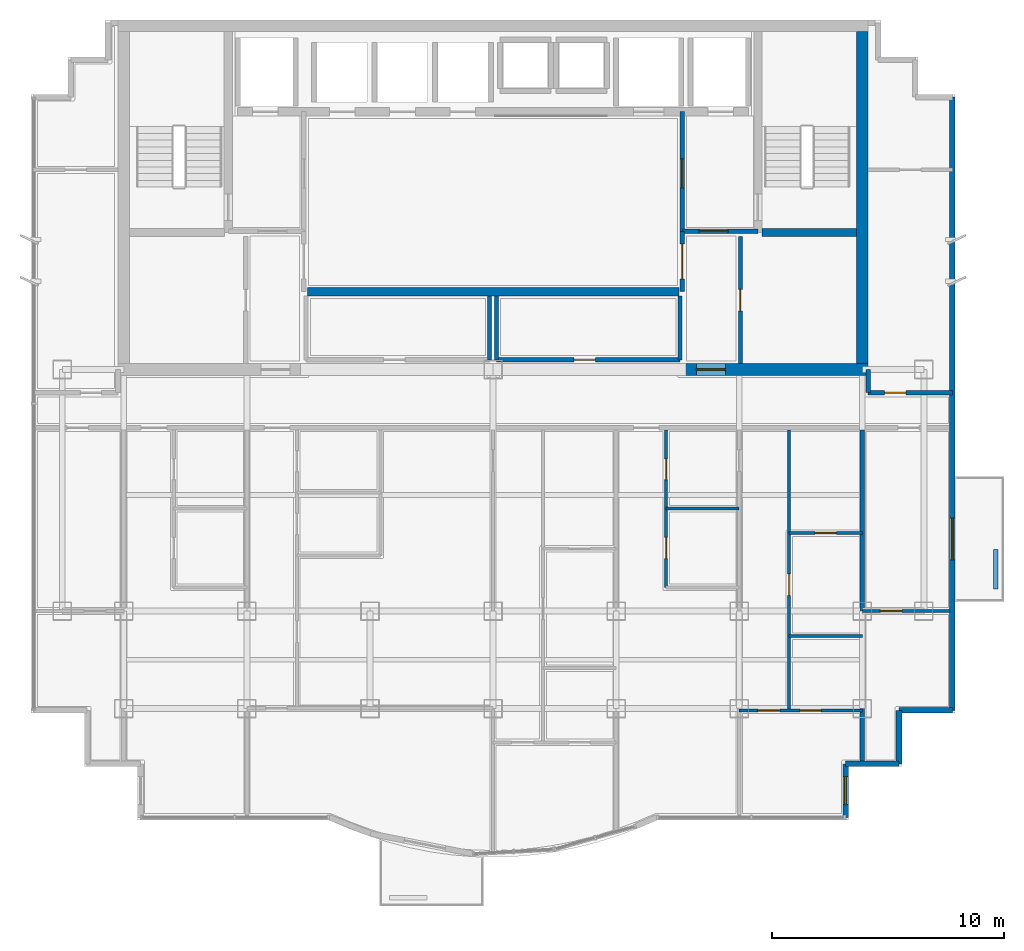
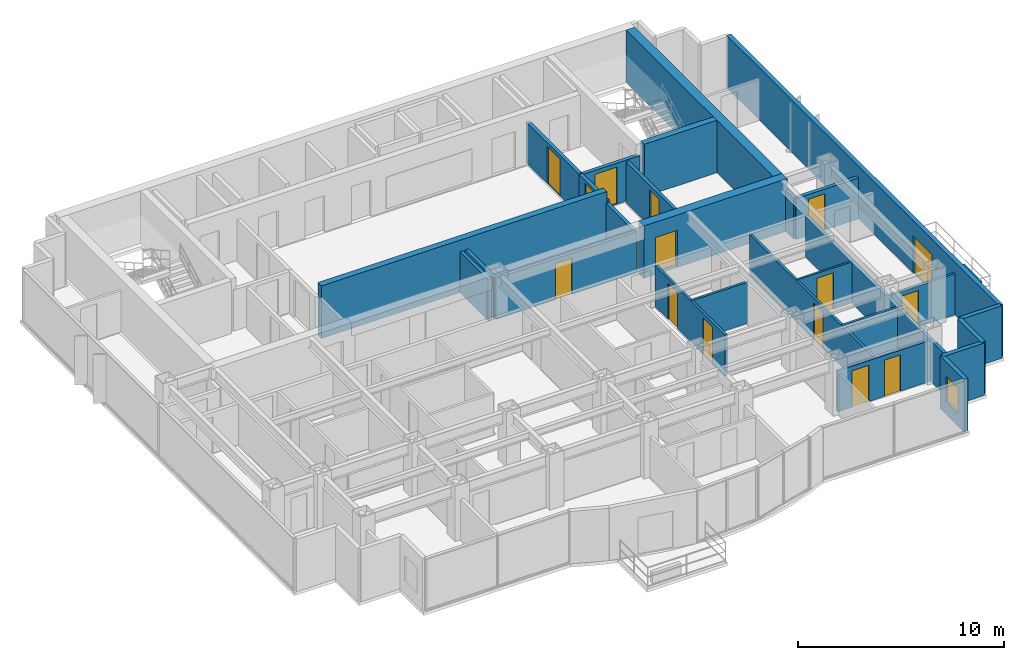
# One storey, part 8 of 11: 28 walls, 15 doors, 1 window, 16 openings.
"""IFC4 building model written with IfcOpenShell, lengths in metres."""

from ifc_helpers import new_model, si_unit, direction, frame, frame_2d, origin, place, context, subcontext, project, spatial, rectangle, extrude, material, layer, layer_set, type_object, element, fill, save


model = new_model("IFC4")

# Units and contexts
model_context = context("Model", 3, precision=1e-05, world=origin(), true_north=direction((0.0, 1.0)))
body_context = subcontext(model_context, "Body", "Model", "MODEL_VIEW")
ifc_project = project(units=[si_unit("LENGTHUNIT", "METRE"), si_unit("AREAUNIT", "SQUARE_METRE"), si_unit("VOLUMEUNIT", "CUBIC_METRE"), si_unit("PLANEANGLEUNIT", "RADIAN"), si_unit("MASSUNIT", "GRAM", prefix="KILO")], contexts=[model_context])

# Site, building, storey
site_placement = place(None, origin())
site = spatial("IfcSite", under=ifc_project, at=site_placement, CompositionType="ELEMENT")
building_placement = place(site_placement, origin())
building = spatial("IfcBuilding", under=site, at=building_placement, Name="Qianlan Lanfeng Residences", CompositionType="ELEMENT")
storey_placement = place(building_placement, frame((0.0, 0.0, 203.300048828125)))
storey = spatial("IfcBuildingStorey", under=building, at=storey_placement, Name="L55", CompositionType="ELEMENT", Elevation=203.300048828125)

# Walls
ifc_material_1 = material(Name="Concrete C49", Category="concrete")
ifc_layer_1 = layer(ifc_material_1, 0.35009765625)
ifc_layer_set_1 = layer_set([ifc_layer_1], Name="Concrete C49")
wall_type_1 = type_object("IfcWallType", Name="CW-RC-350", PredefinedType="SHEAR", material=ifc_layer_set_1)
wall_1_placement = place(storey_placement, frame((38.074951171875, 31.10009765625, 0.0), z_axis=(0.0, 0.0, 1.0), x_axis=(1.0, 0.0, 0.0)))
element("IfcWall", 1, at=wall_1_placement, inside=storey, type_object=wall_type_1, Name="L55 Core Shear Wall ST2S", PredefinedType="SHEAR", context=body_context, shape_type="SweptSolid", body=[
    extrude(rectangle(XDim=4.074951171875, YDim=0.35009765625, at=frame_2d((2.03759765625, 0.0))), origin(), (0.0, 0.0, 1.0), 3.10986328125),
])
wall_2_placement = place(storey_placement, frame((18.5, 28.550048828125, 0.0), z_axis=(0.0, 0.0, 1.0), x_axis=(1.0, 0.0, 0.0)))
element("IfcWall", 2, at=wall_2_placement, inside=storey, type_object=wall_type_1, Name="L55 Core Shear Wall LBS", PredefinedType="SHEAR", context=body_context, shape_type="SweptSolid", body=[
    extrude(rectangle(XDim=16.0, YDim=0.35009765625, at=frame_2d((8.0, 0.0))), origin(), (0.0, 0.0, 1.0), 3.10986328125),
])
ifc_material_2 = material(Name="Concrete C70", Category="concrete")
ifc_layer_2 = layer(ifc_material_2, 0.5)
ifc_layer_set_2 = layer_set([ifc_layer_2], Name="Concrete C70")
wall_type_2 = type_object("IfcWallType", Name="CW-RC-500", PredefinedType="SHEAR", material=ifc_layer_set_2)
wall_3_placement = place(storey_placement, frame((42.39990234375, 25.449951171875, 0.0), z_axis=(0.0, 0.0, 1.0), x_axis=(0.0, 1.0, 0.0)))
element("IfcWall", 3, at=wall_3_placement, inside=storey, type_object=wall_type_2, Name="L55 Core Shear Wall E", PredefinedType="SHEAR", context=body_context, shape_type="SweptSolid", body=[
    extrude(rectangle(XDim=14.300048828125, YDim=0.5, at=frame_2d((7.14990234375, 0.0))), origin(), (0.0, 0.0, 1.0), 3.10986328125),
])

# Wall, opening, door
wall_4_placement = place(storey_placement, frame((34.60009765625, 25.199951171875, 0.0), z_axis=(0.0, 0.0, 1.0), x_axis=(1.0, 0.0, 0.0)))
wall_4 = element("IfcWall", 4, at=wall_4_placement, inside=storey, type_object=wall_type_2, Name="L55 Core Shear Wall SE", PredefinedType="SHEAR", context=body_context, shape_type="SweptSolid", body=[
    extrude(rectangle(XDim=8.0498046875, YDim=0.5, at=frame_2d((4.02490234375, 0.0))), origin(), (0.0, 0.0, 1.0), 3.10986328125),
])
opening_1_placement = place(wall_4_placement, frame((0.64990234375, 0.0, 0.0)))
opening_1 = element("IfcOpeningElement", 5, at=opening_1_placement, cuts=wall_4, Name="Opening L55-D02", PredefinedType="OPENING", context=body_context, shape_type="SweptSolid", body=[
    extrude(rectangle(XDim=1.25, YDim=2.199951171875, at=frame_2d((0.625, 1.10009765625))), frame((0.0, 0.260009765625, 0.0), z_axis=(0.0, -1.0, 0.0), x_axis=(1.0, 0.0, 0.0)), (0.0, 0.0, 1.0), 0.52001953125),
])
ifc_material_3 = material(Name="Painted Galvanised Steel Fire Door", Category="steel")
door_type_1 = type_object("IfcDoorType", Name="DT-FFL", OperationType="NOTDEFINED", PredefinedType="DOOR", material=ifc_material_3)
door_1_placement = place(opening_1_placement, frame((1.25, 0.0, 0.0), z_axis=(0.0, 0.0, 1.0), x_axis=(-1.0, 0.0, 0.0)))
door_1 = element("IfcDoor", 6, at=door_1_placement, inside=storey, type_object=door_type_1, Name="L55 East Core Lobby Smoke Door L55-D02 (DT-FFL)", OperationType="SINGLE_SWING_LEFT", OverallHeight=2.199951171875, OverallWidth=1.25, PredefinedType="DOOR", context=body_context, shape_type="SweptSolid", body=[
    extrude(rectangle(XDim=1.25, YDim=2.199951171875, at=frame_2d((0.625, 1.10009765625))), frame((0.0, 0.02490234375, 0.0), z_axis=(0.0, -1.0, 0.0), x_axis=(1.0, 0.0, 0.0)), (0.0, 0.0, 1.0), 0.050048828125),
])
fill(opening_1, door_1)

# Wall, opening, window
ifc_material_4 = material(Name="Concrete C42", Category="concrete")
ifc_layer_3 = layer(ifc_material_4, 0.239990234375)
ifc_layer_set_3 = layer_set([ifc_layer_3], Name="Concrete C42")
wall_type_3 = type_object("IfcWallType", Name="EW-240", PredefinedType="SOLIDWALL", material=ifc_layer_set_3)
wall_5_placement = place(storey_placement, frame((41.679931640625, 5.919921875, 0.0), z_axis=(0.0, 0.0, 1.0), x_axis=(0.0, 1.0, 0.0)))
wall_5 = element("IfcWall", 7, at=wall_5_placement, inside=storey, type_object=wall_type_3, Name="L55 Exterior Facade Spandrel Wall 8", PredefinedType="SOLIDWALL", context=body_context, shape_type="SweptSolid", body=[
    extrude(rectangle(XDim=2.300048828125, YDim=0.239990234375, at=frame_2d((1.14990234375, 0.0))), origin(), (0.0, 0.0, 1.0), 3.10986328125),
])
opening_2_placement = place(wall_5_placement, frame((0.550048828125, 0.0, 0.75)))
opening_2 = element("IfcOpeningElement", 8, at=opening_2_placement, cuts=wall_5, Name="Opening W-03", PredefinedType="OPENING", context=body_context, shape_type="SweptSolid", body=[
    extrude(rectangle(XDim=1.199951171875, YDim=1.5, at=frame_2d((0.60009765625, 0.75))), frame((0.0, 0.1298828125, 0.0), z_axis=(0.0, -1.0, 0.0), x_axis=(1.0, 0.0, 0.0)), (0.0, 0.0, 1.0), 0.260009765625),
])
ifc_material_5 = material(Name="Anodised Bronze Aluminium Framed Double Glazing", Category="aluminium")
window_type = type_object("IfcWindowType", Name="W-03", PartitioningType="SINGLE_PANEL", PredefinedType="WINDOW", material=ifc_material_5)
window_placement = place(opening_2_placement, origin())
window = element("IfcWindow", 9, at=window_placement, inside=storey, type_object=window_type, Name="L55 Facade Punched Window W-03", OverallHeight=1.5, OverallWidth=1.199951171875, PartitioningType="SINGLE_PANEL", PredefinedType="WINDOW", context=body_context, shape_type="SweptSolid", body=[
    extrude(rectangle(XDim=1.199951171875, YDim=1.5, at=frame_2d((0.60009765625, 0.75))), frame((0.0, 0.030029296875, 0.0), z_axis=(0.0, -1.0, 0.0), x_axis=(1.0, 0.0, 0.0)), (0.0, 0.0, 1.0), 0.06005859375),
])
fill(opening_2, window)

# Walls
for number, where, z_axis, x_axis, name in (
    (10, (41.679931640625, 8.219970703125, 0.0), (0.0, 0.0, 1.0), (1.0, 0.0, 0.0), "L55 Exterior Facade Spandrel Wall 9"),
    (11, (43.97998046875, 8.219970703125, 0.0), (0.0, 0.0, 1.0), (0.0, 1.0, 0.0), "L55 Exterior Facade Spandrel Wall 10"),
    (12, (43.97998046875, 10.52001953125, 0.0), (0.0, 0.0, 1.0), (1.0, 0.0, 0.0), "L55 Exterior Facade Spandrel Wall 11"),
):
    element("IfcWall", number, at=place(storey_placement, frame(where, z_axis=z_axis, x_axis=x_axis)), inside=storey, type_object=wall_type_3, Name=name, PredefinedType="SOLIDWALL", context=body_context, shape_type="SweptSolid", body=[
        extrude(rectangle(XDim=2.300048828125, YDim=0.239990234375, at=frame_2d((1.14990234375, 0.0))), origin(), (0.0, 0.0, 1.0), 3.10986328125),
    ])

# Wall, opening, door
wall_6_placement = place(storey_placement, frame((46.280029296875, 10.52001953125, 0.0), z_axis=(0.0, 0.0, 1.0), x_axis=(0.0, 1.0, 0.0)))
wall_6 = element("IfcWall", 13, at=wall_6_placement, inside=storey, type_object=wall_type_3, Name="L55 Terrace/Balcony Access Exterior Wall 12", PredefinedType="SOLIDWALL", context=body_context, shape_type="SweptSolid", body=[
    extrude(rectangle(XDim=26.409912109375, YDim=0.239990234375, at=frame_2d((13.205078125, 0.0))), origin(), (0.0, 0.0, 1.0), 3.10986328125),
])
opening_3_placement = place(wall_6_placement, frame((6.47998046875, 0.0, 0.0)))
opening_3 = element("IfcOpeningElement", 14, at=opening_3_placement, cuts=wall_6, Name="Opening L55-D-EB-S", PredefinedType="OPENING", context=body_context, shape_type="SweptSolid", body=[
    extrude(rectangle(XDim=1.800048828125, YDim=2.199951171875, at=frame_2d((0.89990234375, 1.10009765625))), frame((0.0, 0.1298828125, 0.0), z_axis=(0.0, -1.0, 0.0), x_axis=(1.0, 0.0, 0.0)), (0.0, 0.0, 1.0), 0.260009765625),
])
ifc_material_6 = material(Name="Anodised Bronze Aluminium Framed Glass", Category="aluminium")
door_type_2 = type_object("IfcDoorType", Name="DT-BAL1", OperationType="NOTDEFINED", PredefinedType="DOOR", material=ifc_material_6)
door_2_placement = place(opening_3_placement, frame((1.800048828125, 0.0, 0.0), z_axis=(0.0, 0.0, 1.0), x_axis=(-1.0, 0.0, 0.0)))
door_2 = element("IfcDoor", 15, at=door_2_placement, inside=storey, type_object=door_type_2, Name="L55 Exterior Access Door EB-S", OperationType="DOUBLE_DOOR_SLIDING", OverallHeight=2.199951171875, OverallWidth=1.800048828125, PredefinedType="DOOR", context=body_context, shape_type="SweptSolid", body=[
    extrude(rectangle(XDim=1.800048828125, YDim=2.199951171875, at=frame_2d((0.89990234375, 1.10009765625))), frame((0.0, 0.02490234375, 0.0), z_axis=(0.0, -1.0, 0.0), x_axis=(1.0, 0.0, 0.0)), (0.0, 0.0, 1.0), 0.050048828125),
])
fill(opening_3, door_2)

# Wall
ifc_layer_4 = layer(ifc_material_4, 0.199951171875)
ifc_layer_set_4 = layer_set([ifc_layer_4], Name="Concrete C42")
wall_type_4 = type_object("IfcWallType", Name="PL-TREE-200", PredefinedType="PARAPET", material=ifc_layer_set_4)
wall_7_placement = place(storey_placement, frame((48.14990234375, 15.75, 0.0), z_axis=(0.0, 0.0, 1.0), x_axis=(0.0, 1.0, 0.0)))
element("IfcWall", 16, at=wall_7_placement, inside=storey, type_object=wall_type_4, Name="L55 East Tree Planter Curb EB-S", PredefinedType="PARAPET", context=body_context, shape_type="SweptSolid", body=[
    extrude(rectangle(XDim=1.699951171875, YDim=0.199951171875, at=frame_2d((0.85009765625, 0.0))), origin(), (0.0, 0.0, 1.0), 0.64990234375),
])

# Wall, opening, door
ifc_material_7 = material(Name="Demountable Acoustic Framing Partition 110 mm")
ifc_layer_5 = layer(ifc_material_7, 0.110107421875)
ifc_layer_set_5 = layer_set([ifc_layer_5], Name="Demountable Acoustic Framing Partition 110 mm")
wall_type_5 = type_object("IfcWallType", Name="PW-110", PredefinedType="MOVABLE", material=ifc_layer_set_5)
wall_8_placement = place(storey_placement, frame((39.25, 18.159912109375, 0.0), z_axis=(0.0, 0.0, 1.0), x_axis=(1.0, 0.0, 0.0)))
wall_8 = element("IfcWall", 17, at=wall_8_placement, inside=storey, type_object=wall_type_5, Name="L55 U03 Wardrobe Split", PredefinedType="MOVABLE", context=body_context, shape_type="SweptSolid", body=[
    extrude(rectangle(XDim=3.14990234375, YDim=0.110107421875, at=frame_2d((1.574951171875, 0.0))), origin(), (0.0, 0.0, 1.0), 2.429931640625),
])
opening_4_placement = place(wall_8_placement, frame((1.114990234375, 0.0, 0.0)))
opening_4 = element("IfcOpeningElement", 18, at=opening_4_placement, cuts=wall_8, Name="Opening L55-D35", PredefinedType="OPENING", context=body_context, shape_type="SweptSolid", body=[
    extrude(rectangle(XDim=0.919921875, YDim=2.14990234375, at=frame_2d((0.4599609375, 1.074951171875))), frame((0.0, 0.06494140625, 0.0), z_axis=(0.0, -1.0, 0.0), x_axis=(1.0, 0.0, 0.0)), (0.0, 0.0, 1.0), 0.130126953125),
])
ifc_material_8 = material(Name="Glazed Timber Kitchen/Study Door", Category="wood")
door_type_3 = type_object("IfcDoorType", Name="DT-INT", OperationType="NOTDEFINED", PredefinedType="DOOR", material=ifc_material_8)
door_3_placement = place(opening_4_placement, origin())
door_3 = element("IfcDoor", 19, at=door_3_placement, inside=storey, type_object=door_type_3, Name="L55 U03 Dressing Inner Door L55-D35 (DT-INT)", OperationType="SINGLE_SWING_LEFT", OverallHeight=2.14990234375, OverallWidth=0.919921875, PredefinedType="DOOR", context=body_context, shape_type="SweptSolid", body=[
    extrude(rectangle(XDim=0.919921875, YDim=2.14990234375, at=frame_2d((0.4599609375, 1.074951171875))), frame((0.0, 0.02490234375, 0.0), z_axis=(0.0, -1.0, 0.0), x_axis=(1.0, 0.0, 0.0)), (0.0, 0.0, 1.0), 0.050048828125),
])
fill(opening_4, door_3)

# Wall, openings, doors
ifc_material_9 = material(Name="Moisture-Resistant Gypsum Partition 135 mm")
ifc_layer_6 = layer(ifc_material_9, 0.135009765625)
ifc_layer_set_6 = layer_set([ifc_layer_6], Name="Moisture-Resistant Gypsum Partition 135 mm")
wall_type_6 = type_object("IfcWallType", Name="PW-135", PredefinedType="PARTITIONING", material=ifc_layer_set_6)
wall_9_placement = place(storey_placement, frame((33.949951171875, 15.820068359375, 0.0), z_axis=(0.0, 0.0, 1.0), x_axis=(0.0, 1.0, 0.0)))
wall_9 = element("IfcWall", 20, at=wall_9_placement, inside=storey, type_object=wall_type_6, Name="L55 U03 Wet Stack Spine", PredefinedType="PARTITIONING", context=body_context, shape_type="SweptSolid", body=[
    extrude(rectangle(XDim=6.780029296875, YDim=0.135009765625, at=frame_2d((3.39013671875, 0.0))), origin(), (0.0, 0.0, 1.0), 2.429931640625),
])
opening_5_placement = place(wall_9_placement, frame((1.235107421875, 0.0, 0.0)))
opening_5 = element("IfcOpeningElement", 21, at=opening_5_placement, cuts=wall_9, Name="Opening L55-D30", PredefinedType="OPENING", context=body_context, shape_type="SweptSolid", body=[
    extrude(rectangle(XDim=0.919921875, YDim=2.14990234375, at=frame_2d((0.4599609375, 1.074951171875))), frame((0.0, 0.07763671875, 0.0), z_axis=(0.0, -1.0, 0.0), x_axis=(1.0, 0.0, 0.0)), (0.0, 0.0, 1.0), 0.155029296875),
])
opening_6_placement = place(wall_9_placement, frame((4.635009765625, 0.0, 0.0)))
opening_6 = element("IfcOpeningElement", 22, at=opening_6_placement, cuts=wall_9, Name="Opening L55-D31", PredefinedType="OPENING", context=body_context, shape_type="SweptSolid", body=[
    extrude(rectangle(XDim=0.89990234375, YDim=2.14990234375, at=frame_2d((0.449951171875, 1.074951171875))), frame((0.0, 0.07763671875, 0.0), z_axis=(0.0, -1.0, 0.0), x_axis=(1.0, 0.0, 0.0)), (0.0, 0.0, 1.0), 0.155029296875),
])
door_4_placement = place(opening_5_placement, origin())
door_4 = element("IfcDoor", 23, at=door_4_placement, inside=storey, type_object=door_type_3, Name="L55 U03 Kitchen Door L55-D30 (DT-INT)", OperationType="SINGLE_SWING_RIGHT", OverallHeight=2.14990234375, OverallWidth=0.919921875, PredefinedType="DOOR", context=body_context, shape_type="SweptSolid", body=[
    extrude(rectangle(XDim=0.919921875, YDim=2.14990234375, at=frame_2d((0.4599609375, 1.074951171875))), frame((0.0, 0.02490234375, 0.0), z_axis=(0.0, -1.0, 0.0), x_axis=(1.0, 0.0, 0.0)), (0.0, 0.0, 1.0), 0.050048828125),
])
fill(opening_5, door_4)
ifc_material_10 = material(Name="Moisture-Resistant Timber Leaf", Category="wood")
door_type_4 = type_object("IfcDoorType", Name="DT-WC", OperationType="NOTDEFINED", PredefinedType="DOOR", material=ifc_material_10)
door_5_placement = place(opening_6_placement, origin())
door_5 = element("IfcDoor", 24, at=door_5_placement, inside=storey, type_object=door_type_4, Name="L55 U03 Bathroom Door L55-D31 (DT-WC)", OperationType="SINGLE_SWING_LEFT", OverallHeight=2.14990234375, OverallWidth=0.89990234375, PredefinedType="DOOR", context=body_context, shape_type="SweptSolid", body=[
    extrude(rectangle(XDim=0.89990234375, YDim=2.14990234375, at=frame_2d((0.449951171875, 1.074951171875))), frame((0.0, 0.02490234375, 0.0), z_axis=(0.0, -1.0, 0.0), x_axis=(1.0, 0.0, 0.0)), (0.0, 0.0, 1.0), 0.050048828125),
])
fill(opening_6, door_5)

# Wall
wall_10_placement = place(storey_placement, frame((33.949951171875, 19.2099609375, 0.0), z_axis=(0.0, 0.0, 1.0), x_axis=(1.0, 0.0, 0.0)))
element("IfcWall", 25, at=wall_10_placement, inside=storey, type_object=wall_type_6, Name="L55 U03 Bathroom South Wall", PredefinedType="PARTITIONING", context=body_context, shape_type="SweptSolid", body=[
    extrude(rectangle(XDim=3.150146484375, YDim=0.135009765625, at=frame_2d((1.5751953125, 0.0))), origin(), (0.0, 0.0, 1.0), 2.429931640625),
])

# Wall, openings, doors
wall_11_placement = place(storey_placement, frame((37.10009765625, 10.52001953125, 0.0), z_axis=(0.0, 0.0, 1.0), x_axis=(1.0, 0.0, 0.0)))
wall_11 = element("IfcWall", 26, at=wall_11_placement, inside=storey, type_object=wall_type_6, Name="L55 U03 Master Bedroom North Wall", PredefinedType="PARTITIONING", context=body_context, shape_type="SweptSolid", body=[
    extrude(rectangle(XDim=5.2998046875, YDim=0.135009765625, at=frame_2d((2.64990234375, 0.0))), origin(), (0.0, 0.0, 1.0), 2.429931640625),
])
opening_7_placement = place(wall_11_placement, frame((0.800048828125, 0.0, 0.0)))
opening_7 = element("IfcOpeningElement", 27, at=opening_7_placement, cuts=wall_11, Name="Opening L55-D32", PredefinedType="OPENING", context=body_context, shape_type="SweptSolid", body=[
    extrude(rectangle(XDim=0.949951171875, YDim=2.14990234375, at=frame_2d((0.47509765625, 1.074951171875))), frame((0.0, 0.07763671875, 0.0), z_axis=(0.0, -1.0, 0.0), x_axis=(1.0, 0.0, 0.0)), (0.0, 0.0, 1.0), 0.155029296875),
])
opening_8_placement = place(wall_11_placement, frame((2.625, 0.0, 0.0)))
opening_8 = element("IfcOpeningElement", 28, at=opening_8_placement, cuts=wall_11, Name="Opening L55-D33", PredefinedType="OPENING", context=body_context, shape_type="SweptSolid", body=[
    extrude(rectangle(XDim=0.89990234375, YDim=2.14990234375, at=frame_2d((0.449951171875, 1.074951171875))), frame((0.0, 0.07763671875, 0.0), z_axis=(0.0, -1.0, 0.0), x_axis=(1.0, 0.0, 0.0)), (0.0, 0.0, 1.0), 0.155029296875),
])
ifc_material_11 = material(Name="Painted Solid-Core Timber Leaf", Category="wood")
door_type_5 = type_object("IfcDoorType", Name="DT-BED", OperationType="NOTDEFINED", PredefinedType="DOOR", material=ifc_material_11)
door_6_placement = place(opening_7_placement, origin())
door_6 = element("IfcDoor", 29, at=door_6_placement, inside=storey, type_object=door_type_5, Name="L55 U03 Master Bedroom Door L55-D32 (DT-BED)", OperationType="SINGLE_SWING_RIGHT", OverallHeight=2.14990234375, OverallWidth=0.949951171875, PredefinedType="DOOR", context=body_context, shape_type="SweptSolid", body=[
    extrude(rectangle(XDim=0.949951171875, YDim=2.14990234375, at=frame_2d((0.47509765625, 1.074951171875))), frame((0.0, 0.02490234375, 0.0), z_axis=(0.0, -1.0, 0.0), x_axis=(1.0, 0.0, 0.0)), (0.0, 0.0, 1.0), 0.050048828125),
])
fill(opening_7, door_6)
door_7_placement = place(opening_8_placement, frame((0.89990234375, 0.0, 0.0), z_axis=(0.0, 0.0, 1.0), x_axis=(-1.0, 0.0, 0.0)))
door_7 = element("IfcDoor", 30, at=door_7_placement, inside=storey, type_object=door_type_4, Name="L55 U03 En-Suite Bathroom Door L55-D33 (DT-WC)", OperationType="SINGLE_SWING_RIGHT", OverallHeight=2.14990234375, OverallWidth=0.89990234375, PredefinedType="DOOR", context=body_context, shape_type="SweptSolid", body=[
    extrude(rectangle(XDim=0.89990234375, YDim=2.14990234375, at=frame_2d((0.449951171875, 1.074951171875))), frame((0.0, 0.02490234375, 0.0), z_axis=(0.0, -1.0, 0.0), x_axis=(1.0, 0.0, 0.0)), (0.0, 0.0, 1.0), 0.050048828125),
])
fill(opening_8, door_7)

# Wall, opening, door
wall_12_placement = place(storey_placement, frame((39.25, 10.52001953125, 0.0), z_axis=(0.0, 0.0, 1.0), x_axis=(0.0, 1.0, 0.0)))
wall_12 = element("IfcWall", 31, at=wall_12_placement, inside=storey, type_object=wall_type_6, Name="L55 U03 Master Passage Wall", PredefinedType="PARTITIONING", context=body_context, shape_type="SweptSolid", body=[
    extrude(rectangle(XDim=12.080078125, YDim=0.135009765625, at=frame_2d((6.0400390625, 0.0))), origin(), (0.0, 0.0, 1.0), 2.429931640625),
])
opening_9_placement = place(wall_12_placement, frame((4.9599609375, 0.0, 0.0)))
opening_9 = element("IfcOpeningElement", 32, at=opening_9_placement, cuts=wall_12, Name="Opening L55-D34", PredefinedType="OPENING", context=body_context, shape_type="SweptSolid", body=[
    extrude(rectangle(XDim=0.919921875, YDim=2.14990234375, at=frame_2d((0.4599609375, 1.074951171875))), frame((0.0, 0.07763671875, 0.0), z_axis=(0.0, -1.0, 0.0), x_axis=(1.0, 0.0, 0.0)), (0.0, 0.0, 1.0), 0.155029296875),
])
door_8_placement = place(opening_9_placement, origin())
door_8 = element("IfcDoor", 33, at=door_8_placement, inside=storey, type_object=door_type_3, Name="L55 U03 Wardrobe Door L55-D34 (DT-INT)", OperationType="SINGLE_SWING_RIGHT", OverallHeight=2.14990234375, OverallWidth=0.919921875, PredefinedType="DOOR", context=body_context, shape_type="SweptSolid", body=[
    extrude(rectangle(XDim=0.919921875, YDim=2.14990234375, at=frame_2d((0.4599609375, 1.074951171875))), frame((0.0, 0.02490234375, 0.0), z_axis=(0.0, -1.0, 0.0), x_axis=(1.0, 0.0, 0.0)), (0.0, 0.0, 1.0), 0.050048828125),
])
fill(opening_9, door_8)

# Wall
wall_13_placement = place(storey_placement, frame((39.25, 13.719970703125, 0.0), z_axis=(0.0, 0.0, 1.0), x_axis=(1.0, 0.0, 0.0)))
element("IfcWall", 34, at=wall_13_placement, inside=storey, type_object=wall_type_6, Name="L55 U03 En-Suite North Wall", PredefinedType="PARTITIONING", context=body_context, shape_type="SweptSolid", body=[
    extrude(rectangle(XDim=3.14990234375, YDim=0.135009765625, at=frame_2d((1.574951171875, 0.0))), origin(), (0.0, 0.0, 1.0), 2.429931640625),
])

# Wall, opening, door
wall_14_placement = place(storey_placement, frame((42.39990234375, 14.800048828125, 0.0), z_axis=(0.0, 0.0, 1.0), x_axis=(1.0, 0.0, 0.0)))
wall_14 = element("IfcWall", 35, at=wall_14_placement, inside=storey, type_object=wall_type_6, Name="L55 SEP Mid Partition", PredefinedType="PARTITIONING", context=body_context, shape_type="SweptSolid", body=[
    extrude(rectangle(XDim=3.780029296875, YDim=0.135009765625, at=frame_2d((1.89013671875, 0.0))), origin(), (0.0, 0.0, 1.0), 2.429931640625),
])
opening_10_placement = place(wall_14_placement, frame((0.780029296875, 0.0, 0.0)))
opening_10 = element("IfcOpeningElement", 36, at=opening_10_placement, cuts=wall_14, Name="Opening L55-D38", PredefinedType="OPENING", context=body_context, shape_type="SweptSolid", body=[
    extrude(rectangle(XDim=0.919921875, YDim=2.14990234375, at=frame_2d((0.4599609375, 1.074951171875))), frame((0.0, 0.07763671875, 0.0), z_axis=(0.0, -1.0, 0.0), x_axis=(1.0, 0.0, 0.0)), (0.0, 0.0, 1.0), 0.155029296875),
])
door_9_placement = place(opening_10_placement, origin())
door_9 = element("IfcDoor", 37, at=door_9_placement, inside=storey, type_object=door_type_3, Name="L55 SEP Inner Door L55-D38 (DT-INT)", OperationType="SINGLE_SWING_RIGHT", OverallHeight=2.14990234375, OverallWidth=0.919921875, PredefinedType="DOOR", context=body_context, shape_type="SweptSolid", body=[
    extrude(rectangle(XDim=0.919921875, YDim=2.14990234375, at=frame_2d((0.4599609375, 1.074951171875))), frame((0.0, 0.02490234375, 0.0), z_axis=(0.0, -1.0, 0.0), x_axis=(1.0, 0.0, 0.0)), (0.0, 0.0, 1.0), 0.050048828125),
])
fill(opening_10, door_9)

ifc_material_12 = material(Name="Double-Layer Acoustic Gypsum Stud Wall 180 mm")
ifc_layer_7 = layer(ifc_material_12, 0.179931640625)
ifc_layer_set_7 = layer_set([ifc_layer_7], Name="Double-Layer Acoustic Gypsum Stud Wall 180 mm")
wall_type_7 = type_object("IfcWallType", Name="PW-180", PredefinedType="PARTITIONING", material=ifc_layer_set_7)
wall_15_placement = place(storey_placement, frame((37.14990234375, 25.449951171875, 0.0), z_axis=(0.0, 0.0, 1.0), x_axis=(0.0, 1.0, 0.0)))
wall_15 = element("IfcWall", 38, at=wall_15_placement, inside=storey, type_object=wall_type_7, Name="L55 Core East Service Room Wall", PredefinedType="PARTITIONING", context=body_context, shape_type="SweptSolid", body=[
    extrude(rectangle(XDim=5.47509765625, YDim=0.179931640625, at=frame_2d((2.737548828125, 0.0))), origin(), (0.0, 0.0, 1.0), 2.429931640625),
])
opening_11_placement = place(wall_15_placement, frame((2.277099609375, 0.0, 0.0)))
opening_11 = element("IfcOpeningElement", 39, at=opening_11_placement, cuts=wall_15, Name="Opening L55-D10", PredefinedType="OPENING", context=body_context, shape_type="SweptSolid", body=[
    extrude(rectangle(XDim=0.919921875, YDim=2.14990234375, at=frame_2d((0.4599609375, 1.074951171875))), frame((0.0, 0.10009765625, 0.0), z_axis=(0.0, -1.0, 0.0), x_axis=(1.0, 0.0, 0.0)), (0.0, 0.0, 1.0), 0.199951171875),
])
door_10_placement = place(opening_11_placement, origin())
door_10 = element("IfcDoor", 40, at=door_10_placement, inside=storey, type_object=door_type_3, Name="L55 Refuse Recycling Door L55-D10 (DT-INT)", OperationType="SINGLE_SWING_RIGHT", OverallHeight=2.14990234375, OverallWidth=0.919921875, PredefinedType="DOOR", context=body_context, shape_type="SweptSolid", body=[
    extrude(rectangle(XDim=0.919921875, YDim=2.14990234375, at=frame_2d((0.4599609375, 1.074951171875))), frame((0.0, 0.02490234375, 0.0), z_axis=(0.0, -1.0, 0.0), x_axis=(1.0, 0.0, 0.0)), (0.0, 0.0, 1.0), 0.050048828125),
])
fill(opening_11, door_10)

# Walls
for number, where, z_axis, x_axis, name in (
    (41, (26.35009765625, 25.6201171875, 0.0), (0.0, 0.0, 1.0), (0.0, 1.0, 0.0), "L55 Reclaimed Low-Bank Room East Wall"),
    (42, (26.64990234375, 25.6201171875, 0.0), (0.0, 0.0, 1.0), (0.0, 1.0, 0.0), "L55 Reclaimed Mid-Bank Room West Wall"),
    (43, (34.550048828125, 25.6201171875, 0.0), (0.0, 0.0, 1.0), (0.0, 1.0, 0.0), "L55 Reclaimed Mid-Bank Room East Wall"),
):
    element("IfcWall", number, at=place(storey_placement, frame(where, z_axis=z_axis, x_axis=x_axis)), inside=storey, type_object=wall_type_7, Name=name, PredefinedType="PARTITIONING", context=body_context, shape_type="SweptSolid", body=[
        extrude(rectangle(XDim=2.7548828125, YDim=0.179931640625, at=frame_2d((1.37744140625, 0.0))), origin(), (0.0, 0.0, 1.0), 2.429931640625),
    ])

# Wall, opening, door
wall_16_placement = place(storey_placement, frame((26.64990234375, 25.6201171875, 0.0), z_axis=(0.0, 0.0, 1.0), x_axis=(1.0, 0.0, 0.0)))
wall_16 = element("IfcWall", 44, at=wall_16_placement, inside=storey, type_object=wall_type_7, Name="L55 Reclaimed Mid-Bank Room South Wall", PredefinedType="PARTITIONING", context=body_context, shape_type="SweptSolid", body=[
    extrude(rectangle(XDim=7.900146484375, YDim=0.179931640625, at=frame_2d((3.9501953125, 0.0))), origin(), (0.0, 0.0, 1.0), 2.429931640625),
])
opening_12_placement = place(wall_16_placement, frame((3.340087890625, 0.0, 0.0)))
opening_12 = element("IfcOpeningElement", 45, at=opening_12_placement, cuts=wall_16, Name="Opening L55-D14", PredefinedType="OPENING", context=body_context, shape_type="SweptSolid", body=[
    extrude(rectangle(XDim=0.919921875, YDim=2.14990234375, at=frame_2d((0.4599609375, 1.074951171875))), frame((0.0, 0.10009765625, 0.0), z_axis=(0.0, -1.0, 0.0), x_axis=(1.0, 0.0, 0.0)), (0.0, 0.0, 1.0), 0.199951171875),
])
door_11_placement = place(opening_12_placement, origin())
door_11 = element("IfcDoor", 46, at=door_11_placement, inside=storey, type_object=door_type_3, Name="L55 Reclaimed Mid-Bank Salon Door L55-D14 (DT-INT)", OperationType="SINGLE_SWING_RIGHT", OverallHeight=2.14990234375, OverallWidth=0.919921875, PredefinedType="DOOR", context=body_context, shape_type="SweptSolid", body=[
    extrude(rectangle(XDim=0.919921875, YDim=2.14990234375, at=frame_2d((0.4599609375, 1.074951171875))), frame((0.0, 0.02490234375, 0.0), z_axis=(0.0, -1.0, 0.0), x_axis=(1.0, 0.0, 0.0)), (0.0, 0.0, 1.0), 0.050048828125),
])
fill(opening_12, door_11)

# Wall
wall_17_placement = place(storey_placement, frame((42.39990234375, 8.320068359375, 0.0), z_axis=(0.0, 0.0, 1.0), x_axis=(0.0, 1.0, 0.0)))
element("IfcWall", 47, at=wall_17_placement, inside=storey, type_object=wall_type_7, Name="L55 Wing Boundary Party Wall E0", PredefinedType="PARTITIONING", context=body_context, shape_type="SweptSolid", body=[
    extrude(rectangle(XDim=14.280029296875, YDim=0.179931640625, at=frame_2d((7.14013671875, 0.0))), origin(), (0.0, 0.0, 1.0), 2.429931640625),
])

# Wall, opening, door
ifc_material_13 = material(Name="Autoclaved Aerated Concrete Blockwork 200 mm", Category="masonry")
ifc_layer_8 = layer(ifc_material_13, 0.199951171875)
ifc_layer_set_8 = layer_set([ifc_layer_8], Name="Autoclaved Aerated Concrete Blockwork 200 mm")
wall_type_8 = type_object("IfcWallType", Name="PW-200", PredefinedType="PARTITIONING", material=ifc_layer_set_8)
wall_18_placement = place(storey_placement, frame((34.64990234375, 31.14990234375, 0.0), z_axis=(0.0, 0.0, 1.0), x_axis=(1.0, 0.0, 0.0)))
wall_18 = element("IfcWall", 48, at=wall_18_placement, inside=storey, type_object=wall_type_8, Name="L55 Firefighting Lobby 2 South Wall", PredefinedType="PARTITIONING", context=body_context, shape_type="SweptSolid", body=[
    extrude(rectangle(XDim=3.25, YDim=0.199951171875, at=frame_2d((1.625, 0.0))), origin(), (0.0, 0.0, 1.0), 2.429931640625),
])
opening_13_placement = place(wall_18_placement, frame((0.72509765625, 0.0, 0.0)))
opening_13 = element("IfcOpeningElement", 49, at=opening_13_placement, cuts=wall_18, Name="Opening L55-D05", PredefinedType="OPENING", context=body_context, shape_type="SweptSolid", body=[
    extrude(rectangle(XDim=1.25, YDim=2.199951171875, at=frame_2d((0.625, 1.10009765625))), frame((0.0, 0.10986328125, 0.0), z_axis=(0.0, -1.0, 0.0), x_axis=(1.0, 0.0, 0.0)), (0.0, 0.0, 1.0), 0.219970703125),
])
door_12_placement = place(opening_13_placement, origin())
door_12 = element("IfcDoor", 50, at=door_12_placement, inside=storey, type_object=door_type_1, Name="L55 Firefighting Lobby 2 Entry Door L55-D05 (DT-FFL)", OperationType="SINGLE_SWING_RIGHT", OverallHeight=2.199951171875, OverallWidth=1.25, PredefinedType="DOOR", context=body_context, shape_type="SweptSolid", body=[
    extrude(rectangle(XDim=1.25, YDim=2.199951171875, at=frame_2d((0.625, 1.10009765625))), frame((0.0, 0.02490234375, 0.0), z_axis=(0.0, -1.0, 0.0), x_axis=(1.0, 0.0, 0.0)), (0.0, 0.0, 1.0), 0.050048828125),
])
fill(opening_13, door_12)

wall_19_placement = place(storey_placement, frame((34.64990234375, 31.14990234375, 0.0), z_axis=(0.0, 0.0, 1.0), x_axis=(0.0, 1.0, 0.0)))
wall_19 = element("IfcWall", 51, at=wall_19_placement, inside=storey, type_object=wall_type_8, Name="L55 Firefighting Lobby 2 West Wall", PredefinedType="PARTITIONING", context=body_context, shape_type="SweptSolid", body=[
    extrude(rectangle(XDim=5.150146484375, YDim=0.199951171875, at=frame_2d((2.5751953125, 0.0))), origin(), (0.0, 0.0, 1.0), 2.429931640625),
])
opening_14_placement = place(wall_19_placement, frame((1.875, 0.0, 0.0)))
opening_14 = element("IfcOpeningElement", 52, at=opening_14_placement, cuts=wall_19, Name="Opening L55-D06", PredefinedType="OPENING", context=body_context, shape_type="SweptSolid", body=[
    extrude(rectangle(XDim=1.25, YDim=2.199951171875, at=frame_2d((0.625, 1.10009765625))), frame((0.0, 0.10986328125, 0.0), z_axis=(0.0, -1.0, 0.0), x_axis=(1.0, 0.0, 0.0)), (0.0, 0.0, 1.0), 0.219970703125),
])
door_13_placement = place(opening_14_placement, origin())
door_13 = element("IfcDoor", 53, at=door_13_placement, inside=storey, type_object=door_type_1, Name="L55 Firefighting Lobby 2 Lift Lobby Door L55-D06 (DT-FFL)", OperationType="SINGLE_SWING_RIGHT", OverallHeight=2.199951171875, OverallWidth=1.25, PredefinedType="DOOR", context=body_context, shape_type="SweptSolid", body=[
    extrude(rectangle(XDim=1.25, YDim=2.199951171875, at=frame_2d((0.625, 1.10009765625))), frame((0.0, 0.02490234375, 0.0), z_axis=(0.0, -1.0, 0.0), x_axis=(1.0, 0.0, 0.0)), (0.0, 0.0, 1.0), 0.050048828125),
])
fill(opening_14, door_13)

wall_20_placement = place(storey_placement, frame((34.64990234375, 28.550048828125, 0.0), z_axis=(0.0, 0.0, 1.0), x_axis=(0.0, 1.0, 0.0)))
wall_20 = element("IfcWall", 54, at=wall_20_placement, inside=storey, type_object=wall_type_8, Name="L55 Lift Lobby East Connector Wall", PredefinedType="PARTITIONING", context=body_context, shape_type="SweptSolid", body=[
    extrude(rectangle(XDim=2.599853515625, YDim=0.199951171875, at=frame_2d((1.2998046875, 0.0))), origin(), (0.0, 0.0, 1.0), 2.429931640625),
])
opening_15_placement = place(wall_20_placement, frame((0.550048828125, 0.0, 0.0)))
opening_15 = element("IfcOpeningElement", 55, at=opening_15_placement, cuts=wall_20, Name="Opening L55-D12", PredefinedType="OPENING", context=body_context, shape_type="SweptSolid", body=[
    extrude(rectangle(XDim=1.5, YDim=2.25, at=frame_2d((0.75, 1.125))), frame((0.0, 0.10986328125, 0.0), z_axis=(0.0, -1.0, 0.0), x_axis=(1.0, 0.0, 0.0)), (0.0, 0.0, 1.0), 0.219970703125),
])
ifc_material_14 = material(Name="Timber Veneer Acoustic Fire Door", Category="wood")
door_type_6 = type_object("IfcDoorType", Name="DT-COR1", OperationType="NOTDEFINED", PredefinedType="DOOR", material=ifc_material_14)
door_14_placement = place(opening_15_placement, frame((1.5, 0.0, 0.0), z_axis=(0.0, 0.0, 1.0), x_axis=(-1.0, 0.0, 0.0)))
door_14 = element("IfcDoor", 56, at=door_14_placement, inside=storey, type_object=door_type_6, Name="L55 Lift Lobby East Portal Door L55-D12 (DT-COR1)", OperationType="DOUBLE_DOOR_SINGLE_SWING", OverallHeight=2.25, OverallWidth=1.5, PredefinedType="DOOR", context=body_context, shape_type="SweptSolid", body=[
    extrude(rectangle(XDim=1.5, YDim=2.25, at=frame_2d((0.75, 1.125))), frame((0.0, 0.02490234375, 0.0), z_axis=(0.0, -1.0, 0.0), x_axis=(1.0, 0.0, 0.0)), (0.0, 0.0, 1.0), 0.050048828125),
])
fill(opening_15, door_14)

wall_21_placement = place(storey_placement, frame((42.64990234375, 24.199951171875, 0.0), z_axis=(0.0, 0.0, 1.0), x_axis=(1.0, 0.0, 0.0)))
wall_21 = element("IfcWall", 57, at=wall_21_placement, inside=storey, type_object=wall_type_8, Name="L55 Corridor NE Wall", PredefinedType="PARTITIONING", context=body_context, shape_type="SweptSolid", body=[
    extrude(rectangle(XDim=3.630126953125, YDim=0.199951171875, at=frame_2d((1.81494140625, 0.0))), origin(), (0.0, 0.0, 1.0), 2.429931640625),
])
opening_16_placement = place(wall_21_placement, frame((0.705078125, 0.0, 0.0)))
opening_16 = element("IfcOpeningElement", 58, at=opening_16_placement, cuts=wall_21, Name="Opening L55-D43", PredefinedType="OPENING", context=body_context, shape_type="SweptSolid", body=[
    extrude(rectangle(XDim=0.919921875, YDim=2.14990234375, at=frame_2d((0.4599609375, 1.074951171875))), frame((0.0, 0.10986328125, 0.0), z_axis=(0.0, -1.0, 0.0), x_axis=(1.0, 0.0, 0.0)), (0.0, 0.0, 1.0), 0.219970703125),
])
door_15_placement = place(opening_16_placement, frame((0.919921875, 0.0, 0.0), z_axis=(0.0, 0.0, 1.0), x_axis=(-1.0, 0.0, 0.0)))
door_15 = element("IfcDoor", 59, at=door_15_placement, inside=storey, type_object=door_type_3, Name="L55 EW Amenity Salon Door L55-D43 (DT-INT)", OperationType="SINGLE_SWING_RIGHT", OverallHeight=2.14990234375, OverallWidth=0.919921875, PredefinedType="DOOR", context=body_context, shape_type="SweptSolid", body=[
    extrude(rectangle(XDim=0.919921875, YDim=2.14990234375, at=frame_2d((0.4599609375, 1.074951171875))), frame((0.0, 0.02490234375, 0.0), z_axis=(0.0, -1.0, 0.0), x_axis=(1.0, 0.0, 0.0)), (0.0, 0.0, 1.0), 0.050048828125),
])
fill(opening_16, door_15)

# Wall
wall_22_placement = place(storey_placement, frame((42.64990234375, 24.199951171875, 0.0), z_axis=(0.0, 0.0, 1.0), x_axis=(0.0, 1.0, 0.0)))
element("IfcWall", 60, at=wall_22_placement, inside=storey, type_object=wall_type_8, Name="L55 NE Wing Core Return Wall", PredefinedType="PARTITIONING", context=body_context, shape_type="SweptSolid", body=[
    extrude(rectangle(XDim=1.0, YDim=0.199951171875, at=frame_2d((0.5, 0.0))), origin(), (0.0, 0.0, 1.0), 2.429931640625),
])

save(model, "model.ifc")
